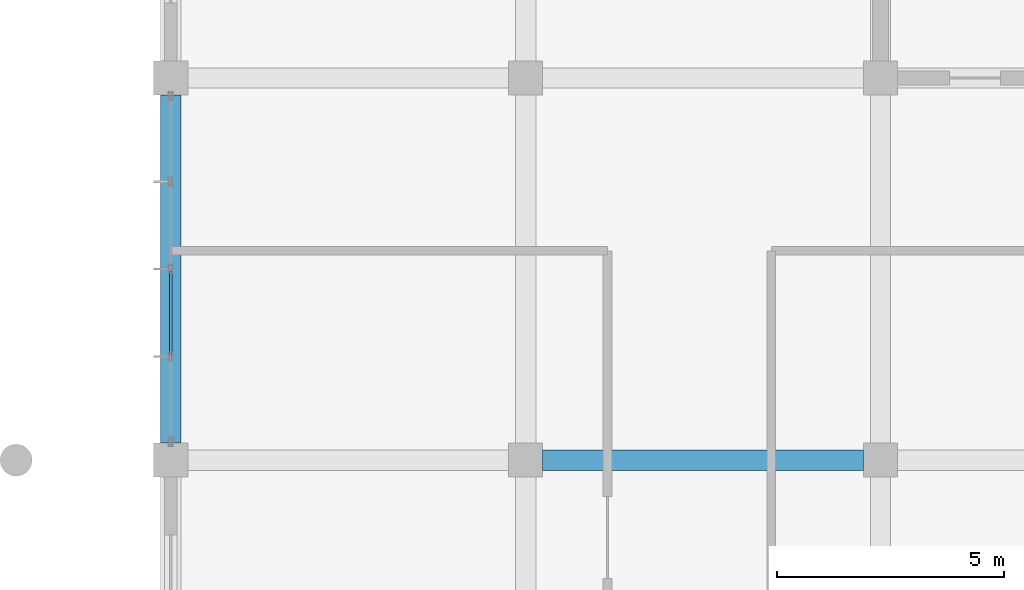
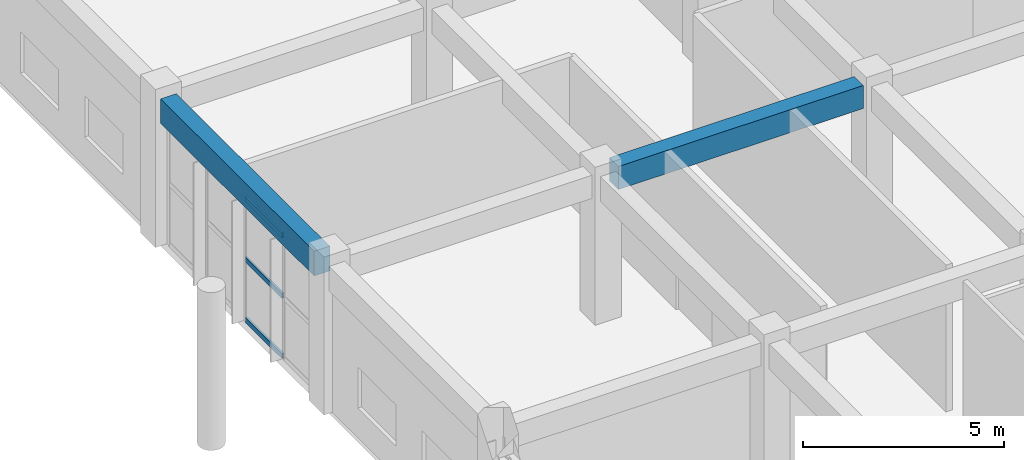
# One storey, part 51 of 167: 3 members, 2 beams, 1 element without a shape of its own.
"""IFC4 building model written with IfcOpenShell, lengths in metres."""

from ifc_helpers import new_model, si_unit, direction, frame, origin, origin_2d, place, context, subcontext, project, spatial, rectangle, hollow_rectangle, extrude, material, layer, layer_set, material_profile, profile_set, type_object, element, aggregate, save


model = new_model("IFC4")

# Units and contexts
model_context = context("Model", 3, precision=1e-05, world=origin(), true_north=direction((0.0, 1.0)))
body_context = subcontext(model_context, "Body", "Model", "MODEL_VIEW")
ifc_project = project(units=[si_unit("LENGTHUNIT", "METRE"), si_unit("AREAUNIT", "SQUARE_METRE"), si_unit("VOLUMEUNIT", "CUBIC_METRE"), si_unit("PLANEANGLEUNIT", "RADIAN"), si_unit("MASSUNIT", "GRAM", prefix="KILO")], contexts=[model_context])

# Site, building, storey
site_placement = place(None, origin())
site = spatial("IfcSite", under=ifc_project, at=site_placement, CompositionType="ELEMENT")
building_placement = place(site_placement, origin())
building = spatial("IfcBuilding", under=site, at=building_placement, Name="Zizhar Promenade General Hospital", CompositionType="ELEMENT")
storey_placement = place(building_placement, frame((0.0, 0.0, 9.60009765625)))
storey = spatial("IfcBuildingStorey", under=building, at=storey_placement, Name="L02", CompositionType="ELEMENT", Elevation=9.60009765625)

# Beams
ifc_material_1 = material(Name="Concrete C35/45", Category="concrete")
ifc_material_profile_1 = material_profile(ifc_material_1, rectangle(XDim=0.449951171875, YDim=0.699951171875, at=origin_2d()))
ifc_profile_set_1 = profile_set([ifc_material_profile_1], Name="Concrete C35/45")
beam_type_1 = type_object("IfcBeamType", Name="BM-RC-450x700", PredefinedType="BEAM", material=ifc_profile_set_1)
beam_1_placement = place(storey_placement, frame((54.97509765625, 100.800048828125, 4.119873046875), z_axis=(1.0, 0.0, 0.0), x_axis=(0.0, 1.0, 0.0)))
element("IfcBeam", 1, at=beam_1_placement, inside=storey, type_object=beam_type_1, Name="Grid Beam X L02 (7-12)", PredefinedType="BEAM", context=body_context, shape_type="SweptSolid", body=[
    extrude(rectangle(XDim=0.449951171875, YDim=0.699951171875, at=origin_2d()), origin(), (0.0, 0.0, 1.0), 7.0498046875),
])
ifc_material_2 = material(Name="Concrete C35/45", Category="concrete")
ifc_material_profile_2 = material_profile(ifc_material_2, rectangle(XDim=0.449951171875, YDim=0.75, at=origin_2d()))
ifc_profile_set_2 = profile_set([ifc_material_profile_2], Name="Concrete C35/45")
beam_type_2 = type_object("IfcBeamType", Name="BM-RC-450x750", PredefinedType="BEAM", material=ifc_profile_set_2)
beam_2_placement = place(storey_placement, frame((46.800048828125, 101.175048828125, 4.094970703125), z_axis=(0.0, 1.0, 0.0), x_axis=(-1.0, 0.0, 0.0)))
element("IfcBeam", 2, at=beam_2_placement, inside=storey, type_object=beam_type_2, Name="Grid Beam Y L02 (6-12)", PredefinedType="BEAM", context=body_context, shape_type="SweptSolid", body=[
    extrude(rectangle(XDim=0.449951171875, YDim=0.75, at=origin_2d()), origin(), (0.0, 0.0, 1.0), 7.64990234375),
])

# Curtain wall, members
ifc_material_3 = material(Name="Anodised aluminium 6063-T6 and low-E glass", Category="aluminium")
ifc_layer = layer(ifc_material_3, 0.159912109375)
ifc_layer_set = layer_set([ifc_layer], Name="Anodised aluminium 6063-T6 and low-E glass")
curtain_wall_type = type_object("IfcCurtainWallType", Name="CW-DT-MOD1", PredefinedType="NOTDEFINED", material=ifc_layer_set)
curtain_wall_placement = place(storey_placement, origin())
curtain_wall = element("IfcCurtainWall", 3, at=curtain_wall_placement, inside=storey, type_object=curtain_wall_type, Name="Surgical West Glazed Curtain Wall L02-12", PredefinedType="NOTDEFINED")
ifc_material_4 = material(Name="Anodised aluminium 6063-T6", Category="aluminium")
ifc_material_profile_3 = material_profile(ifc_material_4, hollow_rectangle(XDim=0.06005859375, YDim=0.14990234375, WallThickness=0.00390625, at=origin_2d()))
ifc_profile_set_3 = profile_set([ifc_material_profile_3], Name="Anodised aluminium 6063-T6")
member_type = type_object("IfcMemberType", Name="CWT-ALU-150x60", PredefinedType="USERDEFINED", material=ifc_profile_set_3)
member_1_placement = place(storey_placement, frame((46.800048828125, 103.1201171875, 0.02978515625), z_axis=(0.0, 1.0, 0.0), x_axis=(-1.0, 0.0, 0.0)))
member_1 = element("IfcMember", 4, at=member_1_placement, type_object=member_type, Name="CW-07 transom 2.1", ObjectType="TRANSOM", PredefinedType="USERDEFINED", context=body_context, shape_type="SweptSolid", body=[
    extrude(hollow_rectangle(XDim=0.06005859375, YDim=0.14990234375, WallThickness=0.00390625, at=origin_2d()), origin(), (0.0, 0.0, 1.0), 1.83984375),
])
member_2_placement = place(storey_placement, frame((46.800048828125, 103.1201171875, 1.864990234375), z_axis=(0.0, 1.0, 0.0), x_axis=(-1.0, 0.0, 0.0)))
member_2 = element("IfcMember", 5, at=member_2_placement, type_object=member_type, Name="CW-07 transom 2.2", ObjectType="TRANSOM", PredefinedType="USERDEFINED", context=body_context, shape_type="SweptSolid", body=[
    extrude(hollow_rectangle(XDim=0.06005859375, YDim=0.14990234375, WallThickness=0.00390625, at=origin_2d()), origin(), (0.0, 0.0, 1.0), 1.83984375),
])
member_3_placement = place(storey_placement, frame((46.800048828125, 103.1201171875, 3.699951171875), z_axis=(0.0, 1.0, 0.0), x_axis=(-1.0, 0.0, 0.0)))
member_3 = element("IfcMember", 6, at=member_3_placement, type_object=member_type, Name="CW-07 transom 2.3", ObjectType="TRANSOM", PredefinedType="USERDEFINED", context=body_context, shape_type="SweptSolid", body=[
    extrude(hollow_rectangle(XDim=0.06005859375, YDim=0.14990234375, WallThickness=0.00390625, at=origin_2d()), origin(), (0.0, 0.0, 1.0), 1.83984375),
])
aggregate(curtain_wall, [member_1, member_2, member_3])

save(model, "model.ifc")
